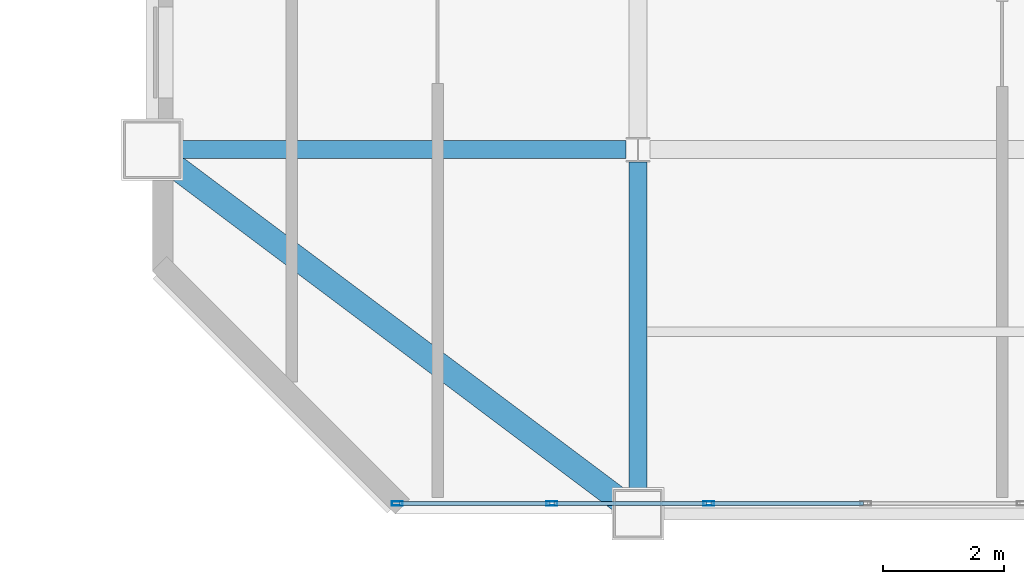
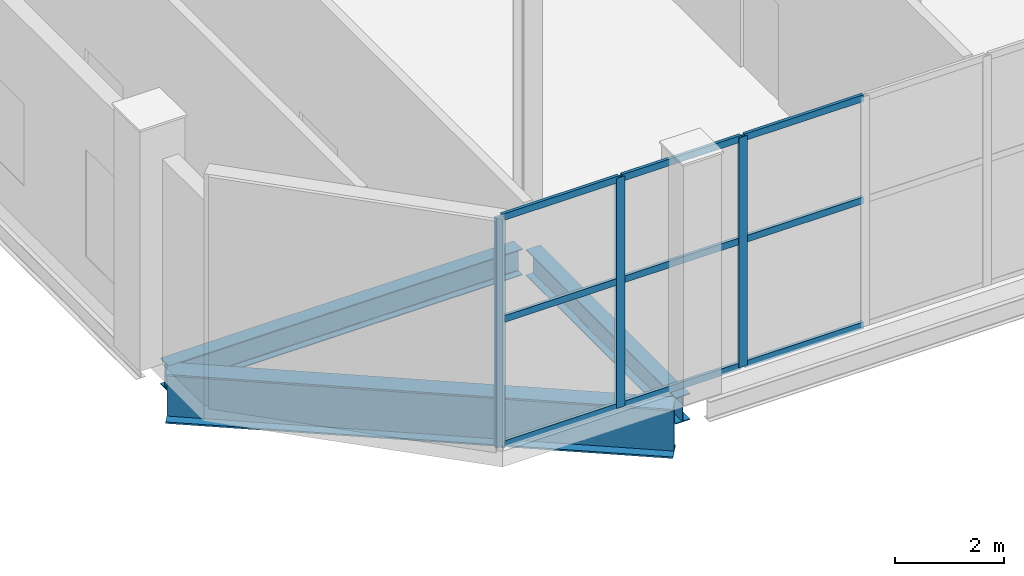
# One storey, part 8 of 23: 12 members, 3 beams, 1 element without a shape of its own.
"""IFC4 building model written with IfcOpenShell, lengths in metres."""

from ifc_helpers import new_model, si_unit, direction, frame, origin, origin_2d, place, context, subcontext, project, spatial, hollow_rectangle, i_section, extrude, material, layer, layer_set, material_profile, profile_set, type_object, element, aggregate, save


model = new_model("IFC4")

# Units and contexts
model_context = context("Model", 3, precision=1e-05, world=origin(), true_north=direction((0.0, 1.0)))
body_context = subcontext(model_context, "Body", "Model", "MODEL_VIEW")
ifc_project = project(units=[si_unit("LENGTHUNIT", "METRE"), si_unit("AREAUNIT", "SQUARE_METRE"), si_unit("VOLUMEUNIT", "CUBIC_METRE"), si_unit("PLANEANGLEUNIT", "RADIAN"), si_unit("MASSUNIT", "GRAM", prefix="KILO")], contexts=[model_context])

# Site, building, storey
site_placement = place(None, origin())
site = spatial("IfcSite", under=ifc_project, at=site_placement, CompositionType="ELEMENT")
building_placement = place(site_placement, origin())
building = spatial("IfcBuilding", under=site, at=building_placement, Name="Qianrong Seaharbour Tower", CompositionType="ELEMENT")
storey_placement = place(building_placement, frame((0.0, 0.0, 281.800048828125)))
storey = spatial("IfcBuildingStorey", under=building, at=storey_placement, Name="L68", CompositionType="ELEMENT", Elevation=281.800048828125)

# Beams
ifc_material_1 = material(Name="Structural steel SN490B", Category="steel")
ifc_material_profile_1 = material_profile(ifc_material_1, i_section(OverallWidth=0.300048828125, OverallDepth=0.587890625, WebThickness=0.011962890625, FlangeThickness=0.02001953125, FilletRadius=0.02392578125, at=origin_2d()), Name="H588x300x12x20")
ifc_profile_set_1 = profile_set([ifc_material_profile_1], Name="Structural steel SN490B")
beam_type_1 = type_object("IfcBeamType", Name="BM-G-588", PredefinedType="BEAM", material=ifc_profile_set_1)
beam_1_placement = place(storey_placement, frame((40.820068359375, 18.5, -0.64404296875), z_axis=(1.0, 0.0, 0.0), x_axis=(0.0, 1.0, 0.0)))
element("IfcBeam", 1, at=beam_1_placement, inside=storey, type_object=beam_type_1, Name="L68 Primary Girder GD G6-G7", PredefinedType="BEAM", context=body_context, shape_type="SweptSolid", body=[
    extrude(i_section(OverallWidth=0.300048828125, OverallDepth=0.587890625, WebThickness=0.011962890625, FlangeThickness=0.02001953125, FilletRadius=0.02392578125, at=origin_2d()), origin(), (0.0, 0.0, 1.0), 7.47998046875),
])
beam_2_placement = place(storey_placement, frame((48.5, 12.820068359375, -0.64404296875), z_axis=(0.0, 1.0, 0.0), x_axis=(-1.0, 0.0, 0.0)))
element("IfcBeam", 2, at=beam_2_placement, inside=storey, type_object=beam_type_1, Name="L68 Primary Girder G7 GC-GD", PredefinedType="BEAM", context=body_context, shape_type="SweptSolid", body=[
    extrude(i_section(OverallWidth=0.300048828125, OverallDepth=0.587890625, WebThickness=0.011962890625, FlangeThickness=0.02001953125, FilletRadius=0.02392578125, at=origin_2d()), origin(), (0.0, 0.0, 1.0), 5.47998046875),
])
ifc_material_profile_2 = material_profile(ifc_material_1, i_section(OverallWidth=0.39990234375, OverallDepth=1.10009765625, WebThickness=0.02001953125, FlangeThickness=0.035888671875, at=origin_2d()), Name="BH1100x400x20x36")
ifc_profile_set_2 = profile_set([ifc_material_profile_2], Name="Structural steel SN490B")
beam_type_2 = type_object("IfcBeamType", Name="BM-TG-1100", PredefinedType="BEAM", material=ifc_profile_set_2)
beam_3_placement = place(storey_placement, frame((48.243896484375, 12.69189453125, -0.900146484375), z_axis=(-0.799981219482, 0.600025039875, 0.0), x_axis=(-0.600025039875, -0.799981219482, 0.0)))
element("IfcBeam", 3, at=beam_3_placement, inside=storey, type_object=beam_type_2, Name="L68 Chamfer Corner Spandrel Girder G6/GC", PredefinedType="BEAM", context=body_context, shape_type="SweptSolid", body=[
    extrude(i_section(OverallWidth=0.39990234375, OverallDepth=1.10009765625, WebThickness=0.02001953125, FlangeThickness=0.035888671875, at=origin_2d()), origin(), (0.0, 0.0, 1.0), 9.35986328125),
])

# Curtain wall, members
ifc_material_2 = material(Name="Anodised aluminium 6063-T6 and laminated low-e glass", Category="aluminium")
ifc_layer = layer(ifc_material_2, 0.18505859375)
ifc_layer_set = layer_set([ifc_layer], Name="Anodised aluminium 6063-T6 and laminated low-e glass")
curtain_wall_type = type_object("IfcCurtainWallType", Name="CW-SYS-4", PredefinedType="NOTDEFINED", material=ifc_layer_set)
curtain_wall_placement = place(storey_placement, origin())
curtain_wall = element("IfcCurtainWall", 4, at=curtain_wall_placement, inside=storey, type_object=curtain_wall_type, Name="L68 Refuge Acoustic Louvre Curtain Wall SOUTH_TIP", PredefinedType="NOTDEFINED")
ifc_material_3 = material(Name="Extruded aluminium 6063-T6", Category="aluminium")
ifc_material_profile_3 = material_profile(ifc_material_3, hollow_rectangle(XDim=0.070068359375, YDim=0.179931640625, WallThickness=0.00390625, at=origin_2d()), Name="ALU-MUL-180x70x4")
ifc_profile_set_3 = profile_set([ifc_material_profile_3], Name="Extruded aluminium 6063-T6")
member_type_1 = type_object("IfcMemberType", Name="CW-MUL-180", PredefinedType="MULLION", material=ifc_profile_set_3)
member_1_placement = place(storey_placement, frame((49.666748046875, 12.669921875, 0.0), z_axis=(0.0, 0.0, 1.0), x_axis=(0.0, -1.0, 0.0)))
member_1 = element("IfcMember", 5, at=member_1_placement, type_object=member_type_1, Name="CW-4 mullion 5", PredefinedType="MULLION", context=body_context, shape_type="SweptSolid", body=[
    extrude(hollow_rectangle(XDim=0.070068359375, YDim=0.179931640625, WallThickness=0.00390625, at=origin_2d()), origin(), (0.0, 0.0, 1.0), 5.14501953125),
])
member_2_placement = place(storey_placement, frame((47.083251953125, 12.669921875, 0.0), z_axis=(0.0, 0.0, 1.0), x_axis=(0.0, -1.0, 0.0)))
member_2 = element("IfcMember", 6, at=member_2_placement, type_object=member_type_1, Name="CW-4 mullion 6", PredefinedType="MULLION", context=body_context, shape_type="SweptSolid", body=[
    extrude(hollow_rectangle(XDim=0.070068359375, YDim=0.179931640625, WallThickness=0.00390625, at=origin_2d()), origin(), (0.0, 0.0, 1.0), 5.14501953125),
])
member_3_placement = place(storey_placement, frame((44.534912109375, 12.669921875, 0.0), z_axis=(0.0, 0.0, 1.0), x_axis=(0.0, -1.0, 0.0)))
member_3 = element("IfcMember", 7, at=member_3_placement, type_object=member_type_1, Name="CW-4 mullion 7", PredefinedType="MULLION", context=body_context, shape_type="SweptSolid", body=[
    extrude(hollow_rectangle(XDim=0.070068359375, YDim=0.179931640625, WallThickness=0.00390625, at=origin_2d()), origin(), (0.0, 0.0, 1.0), 5.14501953125),
])
ifc_material_profile_4 = material_profile(ifc_material_3, hollow_rectangle(XDim=0.06494140625, YDim=0.14990234375, WallThickness=0.00390625, at=origin_2d()), Name="ALU-TRN-150x65x4")
ifc_profile_set_4 = profile_set([ifc_material_profile_4], Name="Extruded aluminium 6063-T6")
member_type_2 = type_object("IfcMemberType", Name="CW-TRN-150", PredefinedType="USERDEFINED", material=ifc_profile_set_4)
member_4_placement = place(storey_placement, frame((52.215087890625, 12.669921875, 0.032470703125), z_axis=(-1.0, 0.0, 0.0), x_axis=(0.0, -1.0, 0.0)))
member_4 = element("IfcMember", 8, at=member_4_placement, type_object=member_type_2, Name="CW-4 transom 4.1", ObjectType="TRANSOM", PredefinedType="USERDEFINED", context=body_context, shape_type="SweptSolid", body=[
    extrude(hollow_rectangle(XDim=0.06494140625, YDim=0.14990234375, WallThickness=0.00390625, at=origin_2d()), origin(), (0.0, 0.0, 1.0), 2.513427734375),
])
member_5_placement = place(storey_placement, frame((52.215087890625, 12.669921875, 2.829833984375), z_axis=(-1.0, 0.0, 0.0), x_axis=(0.0, -1.0, 0.0)))
member_5 = element("IfcMember", 9, at=member_5_placement, type_object=member_type_2, Name="CW-4 transom 4.2", ObjectType="TRANSOM", PredefinedType="USERDEFINED", context=body_context, shape_type="SweptSolid", body=[
    extrude(hollow_rectangle(XDim=0.06494140625, YDim=0.14990234375, WallThickness=0.00390625, at=origin_2d()), origin(), (0.0, 0.0, 1.0), 2.513427734375),
])
member_6_placement = place(storey_placement, frame((52.215087890625, 12.669921875, 5.112548828125), z_axis=(-1.0, 0.0, 0.0), x_axis=(0.0, -1.0, 0.0)))
member_6 = element("IfcMember", 10, at=member_6_placement, type_object=member_type_2, Name="CW-4 transom 4.3", ObjectType="TRANSOM", PredefinedType="USERDEFINED", context=body_context, shape_type="SweptSolid", body=[
    extrude(hollow_rectangle(XDim=0.06494140625, YDim=0.14990234375, WallThickness=0.00390625, at=origin_2d()), origin(), (0.0, 0.0, 1.0), 2.513427734375),
])
member_7_placement = place(storey_placement, frame((49.631591796875, 12.669921875, 0.032470703125), z_axis=(-1.0, 0.0, 0.0), x_axis=(0.0, -1.0, 0.0)))
member_7 = element("IfcMember", 11, at=member_7_placement, type_object=member_type_2, Name="CW-4 transom 5.1", ObjectType="TRANSOM", PredefinedType="USERDEFINED", context=body_context, shape_type="SweptSolid", body=[
    extrude(hollow_rectangle(XDim=0.06494140625, YDim=0.14990234375, WallThickness=0.00390625, at=origin_2d()), origin(), (0.0, 0.0, 1.0), 2.51318359375),
])
member_8_placement = place(storey_placement, frame((49.631591796875, 12.669921875, 2.829833984375), z_axis=(-1.0, 0.0, 0.0), x_axis=(0.0, -1.0, 0.0)))
member_8 = element("IfcMember", 12, at=member_8_placement, type_object=member_type_2, Name="CW-4 transom 5.2", ObjectType="TRANSOM", PredefinedType="USERDEFINED", context=body_context, shape_type="SweptSolid", body=[
    extrude(hollow_rectangle(XDim=0.06494140625, YDim=0.14990234375, WallThickness=0.00390625, at=origin_2d()), origin(), (0.0, 0.0, 1.0), 2.51318359375),
])
member_9_placement = place(storey_placement, frame((49.631591796875, 12.669921875, 5.112548828125), z_axis=(-1.0, 0.0, 0.0), x_axis=(0.0, -1.0, 0.0)))
member_9 = element("IfcMember", 13, at=member_9_placement, type_object=member_type_2, Name="CW-4 transom 5.3", ObjectType="TRANSOM", PredefinedType="USERDEFINED", context=body_context, shape_type="SweptSolid", body=[
    extrude(hollow_rectangle(XDim=0.06494140625, YDim=0.14990234375, WallThickness=0.00390625, at=origin_2d()), origin(), (0.0, 0.0, 1.0), 2.51318359375),
])
member_10_placement = place(storey_placement, frame((47.04833984375, 12.669921875, 0.032470703125), z_axis=(-1.0, 0.0, 0.0), x_axis=(0.0, -1.0, 0.0)))
member_10 = element("IfcMember", 14, at=member_10_placement, type_object=member_type_2, Name="CW-4 transom 6.1", ObjectType="TRANSOM", PredefinedType="USERDEFINED", context=body_context, shape_type="SweptSolid", body=[
    extrude(hollow_rectangle(XDim=0.06494140625, YDim=0.14990234375, WallThickness=0.00390625, at=origin_2d()), origin(), (0.0, 0.0, 1.0), 2.478271484375),
])
member_11_placement = place(storey_placement, frame((47.04833984375, 12.669921875, 2.829833984375), z_axis=(-1.0, 0.0, 0.0), x_axis=(0.0, -1.0, 0.0)))
member_11 = element("IfcMember", 15, at=member_11_placement, type_object=member_type_2, Name="CW-4 transom 6.2", ObjectType="TRANSOM", PredefinedType="USERDEFINED", context=body_context, shape_type="SweptSolid", body=[
    extrude(hollow_rectangle(XDim=0.06494140625, YDim=0.14990234375, WallThickness=0.00390625, at=origin_2d()), origin(), (0.0, 0.0, 1.0), 2.478271484375),
])
member_12_placement = place(storey_placement, frame((47.04833984375, 12.669921875, 5.112548828125), z_axis=(-1.0, 0.0, 0.0), x_axis=(0.0, -1.0, 0.0)))
member_12 = element("IfcMember", 16, at=member_12_placement, type_object=member_type_2, Name="CW-4 transom 6.3", ObjectType="TRANSOM", PredefinedType="USERDEFINED", context=body_context, shape_type="SweptSolid", body=[
    extrude(hollow_rectangle(XDim=0.06494140625, YDim=0.14990234375, WallThickness=0.00390625, at=origin_2d()), origin(), (0.0, 0.0, 1.0), 2.478271484375),
])
aggregate(curtain_wall, [member_1, member_2, member_3, member_4, member_5, member_6, member_7, member_8, member_9, member_10, member_11, member_12])

save(model, "model.ifc")
